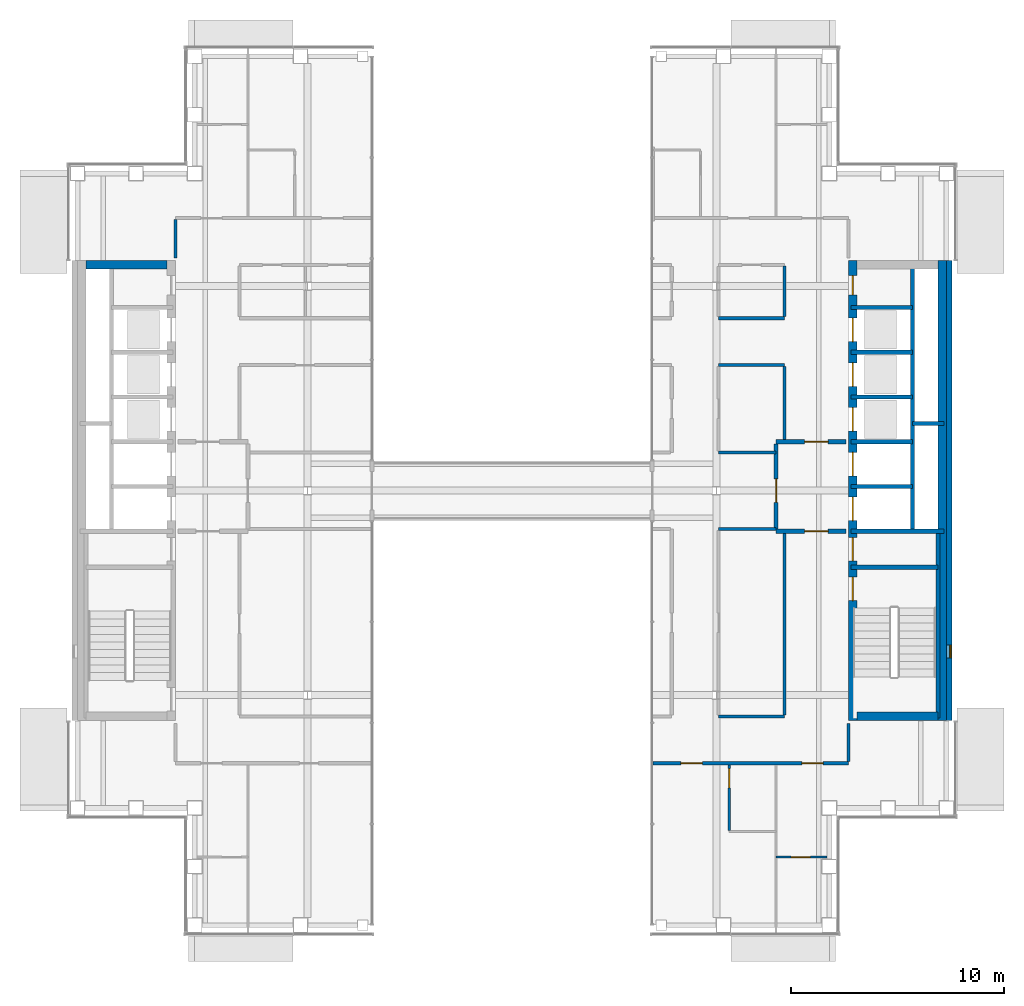
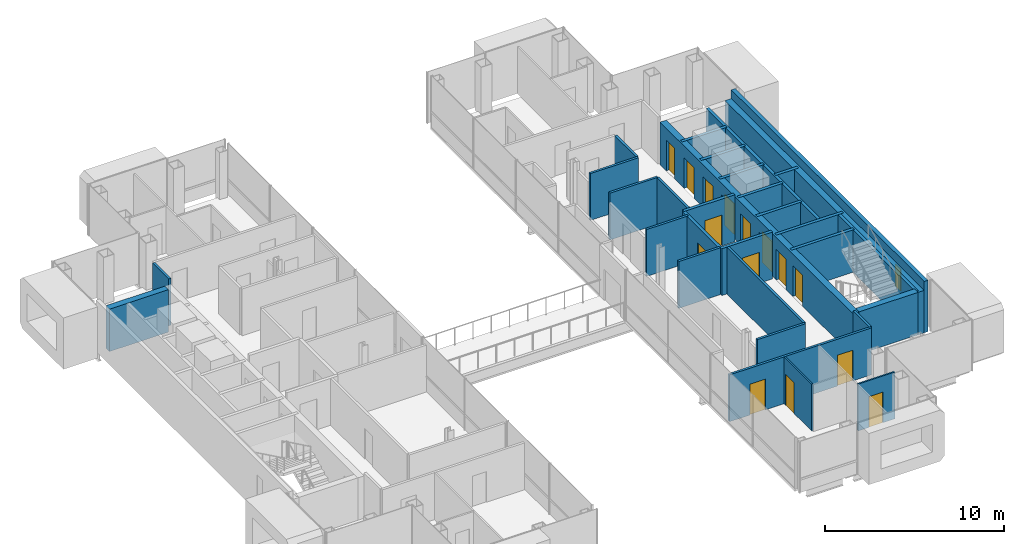
# One storey, part 12 of 17: 31 walls, 15 doors, 1 window, 16 openings.
"""IFC4 building model written with IfcOpenShell, lengths in metres."""

from ifc_helpers import new_model, si_unit, direction, frame, frame_2d, origin, place, context, subcontext, project, spatial, rectangle, extrude, material, layer, layer_set, type_object, element, fill, save


model = new_model("IFC4")

# Units and contexts
model_context = context("Model", 3, precision=1e-05, world=origin(), true_north=direction((0.0, 1.0)))
body_context = subcontext(model_context, "Body", "Model", "MODEL_VIEW")
ifc_project = project(units=[si_unit("LENGTHUNIT", "METRE"), si_unit("AREAUNIT", "SQUARE_METRE"), si_unit("VOLUMEUNIT", "CUBIC_METRE"), si_unit("PLANEANGLEUNIT", "RADIAN"), si_unit("MASSUNIT", "GRAM", prefix="KILO")], contexts=[model_context])

# Site, building, storey
site_placement = place(None, origin())
site = spatial("IfcSite", under=ifc_project, at=site_placement, CompositionType="ELEMENT")
building_placement = place(site_placement, origin())
building = spatial("IfcBuilding", under=site, at=building_placement, Name="Cobrizo Arcos Hotel Tower", CompositionType="ELEMENT")
storey_placement = place(building_placement, frame((0.0, 0.0, 233.0)))
storey = spatial("IfcBuildingStorey", under=building, at=storey_placement, Name="L61", CompositionType="ELEMENT", Elevation=233.0)

# Wall, openings, doors
ifc_material_1 = material(Name="Gypsum board partition")
ifc_layer_1 = layer(ifc_material_1, 0.14990234375)
ifc_layer_set_1 = layer_set([ifc_layer_1], Name="Corridor wall EI 60 150")
wall_type_1 = type_object("IfcWallType", Name="Corridor wall EI 60 150", PredefinedType="PARTITIONING", material=ifc_layer_set_1)
wall_1_placement = place(storey_placement, frame((6.6201171875, -12.800048828125, 0.0), z_axis=(0.0, 0.0, 1.0), x_axis=(1.0, 0.0, 0.0)))
wall_1 = element("IfcWall", 1, at=wall_1_placement, inside=storey, type_object=wall_type_1, Name="Partition 005", PredefinedType="PARTITIONING", context=body_context, shape_type="SweptSolid", body=[
    extrude(rectangle(XDim=9.179931640625, YDim=0.14990234375, at=frame_2d((4.58984375, 0.0))), origin(), (0.0, 0.0, 1.0), 3.199951171875),
])
opening_1_placement = place(wall_1_placement, frame((1.31396484375, 0.0, 0.0)))
opening_1 = element("IfcOpeningElement", 2, at=opening_1_placement, cuts=wall_1, Name="Opening GD-03", PredefinedType="OPENING", context=body_context, shape_type="SweptSolid", body=[
    extrude(rectangle(XDim=1.0, YDim=2.10009765625, at=frame_2d((0.5, 1.050048828125))), frame((0.0, 0.0869140625, 0.0), z_axis=(0.0, -1.0, 0.0), x_axis=(1.0, 0.0, 0.0)), (0.0, 0.0, 1.0), 0.173828125),
])
opening_2_placement = place(wall_1_placement, frame((6.988037109375, 0.0, 0.0)))
opening_2 = element("IfcOpeningElement", 3, at=opening_2_placement, cuts=wall_1, Name="Opening GD-06", PredefinedType="OPENING", context=body_context, shape_type="SweptSolid", body=[
    extrude(rectangle(XDim=1.0, YDim=2.10009765625, at=frame_2d((0.5, 1.050048828125))), frame((0.0, 0.0869140625, 0.0), z_axis=(0.0, -1.0, 0.0), x_axis=(1.0, 0.0, 0.0)), (0.0, 0.0, 1.0), 0.173828125),
])
ifc_material_2 = material(Name="Timber door leaf", Category="wood")
door_type_1 = type_object("IfcDoorType", Name="Guest room door FD30S 1000x2100", OperationType="SINGLE_SWING_LEFT", PredefinedType="DOOR", material=ifc_material_2)
door_1_placement = place(opening_1_placement, origin())
door_1 = element("IfcDoor", 4, at=door_1_placement, inside=storey, type_object=door_type_1, Name="Door GD-03", OperationType="SINGLE_SWING_RIGHT", OverallHeight=2.10009765625, OverallWidth=1.0, PredefinedType="DOOR", context=body_context, shape_type="SweptSolid", body=[
    extrude(rectangle(XDim=1.0, YDim=2.10009765625, at=frame_2d((0.5, 1.050048828125))), frame((0.0, 0.02490234375, 0.0), z_axis=(0.0, -1.0, 0.0), x_axis=(1.0, 0.0, 0.0)), (0.0, 0.0, 1.0), 0.050048828125),
])
fill(opening_1, door_1)
door_2_placement = place(opening_2_placement, origin())
door_2 = element("IfcDoor", 5, at=door_2_placement, inside=storey, type_object=door_type_1, Name="Door GD-06", OperationType="SINGLE_SWING_RIGHT", OverallHeight=2.10009765625, OverallWidth=1.0, PredefinedType="DOOR", context=body_context, shape_type="SweptSolid", body=[
    extrude(rectangle(XDim=1.0, YDim=2.10009765625, at=frame_2d((0.5, 1.050048828125))), frame((0.0, 0.02490234375, 0.0), z_axis=(0.0, -1.0, 0.0), x_axis=(1.0, 0.0, 0.0)), (0.0, 0.0, 1.0), 0.050048828125),
])
fill(opening_2, door_2)

# Walls
wall_2_placement = place(storey_placement, frame((9.699951171875, -10.60009765625, 0.0), z_axis=(0.0, 0.0, 1.0), x_axis=(1.0, 0.0, 0.0)))
element("IfcWall", 6, at=wall_2_placement, inside=storey, type_object=wall_type_1, Name="Partition 008", PredefinedType="PARTITIONING", context=body_context, shape_type="SweptSolid", body=[
    extrude(rectangle(XDim=3.10009765625, YDim=0.14990234375, at=frame_2d((1.550048828125, 0.0))), origin(), (0.0, 0.0, 1.0), 3.199951171875),
])
for number, where, z_axis, x_axis, name in (
    (7, (9.699951171875, -1.800048828125, 0.0), (0.0, 0.0, 1.0), (1.0, 0.0, 0.0), "Partition 017"),
    (8, (9.699951171875, 1.800048828125, 0.0), (0.0, 0.0, 1.0), (1.0, 0.0, 0.0), "Partition 022"),
):
    element("IfcWall", number, at=place(storey_placement, frame(where, z_axis=z_axis, x_axis=x_axis)), inside=storey, type_object=wall_type_1, Name=name, PredefinedType="PARTITIONING", context=body_context, shape_type="SweptSolid", body=[
        extrude(rectangle(XDim=2.699951171875, YDim=0.14990234375, at=frame_2d((1.35009765625, 0.0))), origin(), (0.0, 0.0, 1.0), 3.199951171875),
    ])
for number, where, z_axis, x_axis, name in (
    (9, (9.699951171875, 5.89990234375, 0.0), (0.0, 0.0, 1.0), (1.0, 0.0, 0.0), "Partition 033"),
    (10, (9.699951171875, 8.10009765625, 0.0), (0.0, 0.0, 1.0), (1.0, 0.0, 0.0), "Partition 038"),
):
    element("IfcWall", number, at=place(storey_placement, frame(where, z_axis=z_axis, x_axis=x_axis)), inside=storey, type_object=wall_type_1, Name=name, PredefinedType="PARTITIONING", context=body_context, shape_type="SweptSolid", body=[
        extrude(rectangle(XDim=3.10009765625, YDim=0.14990234375, at=frame_2d((1.550048828125, 0.0))), origin(), (0.0, 0.0, 1.0), 3.199951171875),
    ])
wall_3_placement = place(storey_placement, frame((-15.800048828125, 10.919921875, 0.0), z_axis=(0.0, 0.0, 1.0), x_axis=(0.0, 1.0, 0.0)))
element("IfcWall", 11, at=wall_3_placement, inside=storey, type_object=wall_type_1, Name="Partition 053", PredefinedType="PARTITIONING", context=body_context, shape_type="SweptSolid", body=[
    extrude(rectangle(XDim=1.80517578125, YDim=0.14990234375, at=frame_2d((0.902587890625, 0.0))), origin(), (0.0, 0.0, 1.0), 3.199951171875),
])
wall_4_placement = place(storey_placement, frame((12.800048828125, -10.52490234375, 0.0), z_axis=(0.0, 0.0, 1.0), x_axis=(0.0, 1.0, 0.0)))
element("IfcWall", 12, at=wall_4_placement, inside=storey, type_object=wall_type_1, Name="Partition 081", PredefinedType="PARTITIONING", context=body_context, shape_type="SweptSolid", body=[
    extrude(rectangle(XDim=8.52490234375, YDim=0.14990234375, at=frame_2d((4.262451171875, 0.0))), origin(), (0.0, 0.0, 1.0), 3.199951171875),
])
wall_5_placement = place(storey_placement, frame((12.800048828125, 2.39990234375, 0.0), z_axis=(0.0, 0.0, 1.0), x_axis=(0.0, 1.0, 0.0)))
element("IfcWall", 13, at=wall_5_placement, inside=storey, type_object=wall_type_1, Name="Partition 082", PredefinedType="PARTITIONING", context=body_context, shape_type="SweptSolid", body=[
    extrude(rectangle(XDim=3.425048828125, YDim=0.14990234375, at=frame_2d((1.71240234375, 0.0))), origin(), (0.0, 0.0, 1.0), 3.199951171875),
])
wall_6_placement = place(storey_placement, frame((12.800048828125, 8.175048828125, 0.0), z_axis=(0.0, 0.0, 1.0), x_axis=(0.0, 1.0, 0.0)))
element("IfcWall", 14, at=wall_6_placement, inside=storey, type_object=wall_type_1, Name="Partition 083", PredefinedType="PARTITIONING", context=body_context, shape_type="SweptSolid", body=[
    extrude(rectangle(XDim=2.375, YDim=0.14990234375, at=frame_2d((1.1875, 0.0))), origin(), (0.0, 0.0, 1.0), 3.199951171875),
])
wall_7_placement = place(storey_placement, frame((15.800048828125, -12.72509765625, 0.0), z_axis=(0.0, 0.0, 1.0), x_axis=(0.0, 1.0, 0.0)))
element("IfcWall", 15, at=wall_7_placement, inside=storey, type_object=wall_type_1, Name="Partition 084", PredefinedType="PARTITIONING", context=body_context, shape_type="SweptSolid", body=[
    extrude(rectangle(XDim=1.80517578125, YDim=0.14990234375, at=frame_2d((0.902587890625, 0.0))), origin(), (0.0, 0.0, 1.0), 3.199951171875),
])

# Wall, opening, window
ifc_material_3 = material(Name="Aluminium composite panel pale metal", Category="aluminium")
ifc_layer_2 = layer(ifc_material_3, 0.25)
ifc_layer_set_2 = layer_set([ifc_layer_2], Name="EW-1 insulated panel wall 250")
wall_type_2 = type_object("IfcWallType", Name="EW-1 insulated panel wall 250", PredefinedType="SOLIDWALL", material=ifc_layer_set_2)
wall_8_placement = place(storey_placement, frame((20.52490234375, -10.800048828125, 0.0), z_axis=(0.0, 0.0, 1.0), x_axis=(0.0, 1.0, 0.0)))
wall_8 = element("IfcWall", 16, at=wall_8_placement, inside=storey, type_object=wall_type_2, Name="Core face wall L61 E", PredefinedType="SOLIDWALL", context=body_context, shape_type="SweptSolid", body=[
    extrude(rectangle(XDim=21.60009765625, YDim=0.25, at=frame_2d((10.800048828125, 0.0))), origin(), (0.0, 0.0, 1.0), 3.5),
])
opening_3_placement = place(wall_8_placement, frame((2.949951171875, 0.0, 1.0)))
opening_3 = element("IfcOpeningElement", 17, at=opening_3_placement, cuts=wall_8, Name="Opening W-135", PredefinedType="OPENING", context=body_context, shape_type="SweptSolid", body=[
    extrude(rectangle(XDim=0.60009765625, YDim=1.5, at=frame_2d((0.300048828125, 0.75))), frame((0.0, 0.136962890625, 0.0), z_axis=(0.0, -1.0, 0.0), x_axis=(1.0, 0.0, 0.0)), (0.0, 0.0, 1.0), 0.27392578125),
])
ifc_material_4 = material(Name="Aluminium 6063-T6 and clear laminated glass", Category="aluminium")
window_type = type_object("IfcWindowType", Name="W-C1 core stair slot window 600x1500", PartitioningType="SINGLE_PANEL", PredefinedType="WINDOW", material=ifc_material_4)
window_placement = place(opening_3_placement, origin())
window = element("IfcWindow", 18, at=window_placement, inside=storey, type_object=window_type, Name="Core face wall L61 E window W-135", OverallHeight=1.5, OverallWidth=0.60009765625, PartitioningType="SINGLE_PANEL", PredefinedType="WINDOW", context=body_context, shape_type="SweptSolid", body=[
    extrude(rectangle(XDim=0.60009765625, YDim=1.5, at=frame_2d((0.300048828125, 0.75))), frame((0.0, -0.034912109375, 0.0), z_axis=(0.0, -1.0, 0.0), x_axis=(1.0, 0.0, 0.0)), (0.0, 0.0, 1.0), 0.06005859375),
])
fill(opening_3, window)

# Wall, opening, door
ifc_layer_3 = layer(ifc_material_1, 0.10009765625)
ifc_layer_set_3 = layer_set([ifc_layer_3], Name="Partition EI 30 100")
wall_type_3 = type_object("IfcWallType", Name="Partition EI 30 100", PredefinedType="PARTITIONING", material=ifc_layer_set_3)
wall_9_placement = place(storey_placement, frame((12.39990234375, -17.199951171875, 0.0), z_axis=(0.0, 0.0, 1.0), x_axis=(1.0, 0.0, 0.0)))
wall_9 = element("IfcWall", 19, at=wall_9_placement, inside=storey, type_object=wall_type_3, Name="Partition 002", PredefinedType="PARTITIONING", context=body_context, shape_type="SweptSolid", body=[
    extrude(rectangle(XDim=2.380126953125, YDim=0.10009765625, at=frame_2d((1.18994140625, 0.0))), origin(), (0.0, 0.0, 1.0), 3.199951171875),
])
opening_4_placement = place(wall_9_placement, frame((0.705078125, 0.0, 0.0)))
opening_4 = element("IfcOpeningElement", 20, at=opening_4_placement, cuts=wall_9, Name="Opening ED-06", PredefinedType="OPENING", context=body_context, shape_type="SweptSolid", body=[
    extrude(rectangle(XDim=0.89990234375, YDim=2.10009765625, at=frame_2d((0.449951171875, 1.050048828125))), frame((0.0, 0.06201171875, 0.0), z_axis=(0.0, -1.0, 0.0), x_axis=(1.0, 0.0, 0.0)), (0.0, 0.0, 1.0), 0.1240234375),
])
door_type_2 = type_object("IfcDoorType", Name="En-suite door 900x2100", OperationType="SINGLE_SWING_LEFT", PredefinedType="DOOR", material=ifc_material_2)
door_3_placement = place(opening_4_placement, origin())
door_3 = element("IfcDoor", 21, at=door_3_placement, inside=storey, type_object=door_type_2, Name="Door ED-06", OperationType="SINGLE_SWING_LEFT", OverallHeight=2.10009765625, OverallWidth=0.89990234375, PredefinedType="DOOR", context=body_context, shape_type="SweptSolid", body=[
    extrude(rectangle(XDim=0.89990234375, YDim=2.10009765625, at=frame_2d((0.449951171875, 1.050048828125))), frame((0.0, 0.02490234375, 0.0), z_axis=(0.0, -1.0, 0.0), x_axis=(1.0, 0.0, 0.0)), (0.0, 0.0, 1.0), 0.050048828125),
])
fill(opening_4, door_3)

wall_10_placement = place(storey_placement, frame((10.199951171875, -15.949951171875, 0.0), z_axis=(0.0, 0.0, 1.0), x_axis=(0.0, 1.0, 0.0)))
wall_10 = element("IfcWall", 22, at=wall_10_placement, inside=storey, type_object=wall_type_3, Name="Partition 077", PredefinedType="PARTITIONING", context=body_context, shape_type="SweptSolid", body=[
    extrude(rectangle(XDim=3.074951171875, YDim=0.10009765625, at=frame_2d((1.53759765625, 0.0))), origin(), (0.0, 0.0, 1.0), 3.199951171875),
])
opening_5_placement = place(wall_10_placement, frame((1.99609375, 0.0, 0.0)))
opening_5 = element("IfcOpeningElement", 23, at=opening_5_placement, cuts=wall_10, Name="Opening ED-03", PredefinedType="OPENING", context=body_context, shape_type="SweptSolid", body=[
    extrude(rectangle(XDim=0.89990234375, YDim=2.10009765625, at=frame_2d((0.449951171875, 1.050048828125))), frame((0.0, 0.06201171875, 0.0), z_axis=(0.0, -1.0, 0.0), x_axis=(1.0, 0.0, 0.0)), (0.0, 0.0, 1.0), 0.1240234375),
])
door_4_placement = place(opening_5_placement, origin())
door_4 = element("IfcDoor", 24, at=door_4_placement, inside=storey, type_object=door_type_2, Name="Door ED-03", OperationType="SINGLE_SWING_RIGHT", OverallHeight=2.10009765625, OverallWidth=0.89990234375, PredefinedType="DOOR", context=body_context, shape_type="SweptSolid", body=[
    extrude(rectangle(XDim=0.89990234375, YDim=2.10009765625, at=frame_2d((0.449951171875, 1.050048828125))), frame((0.0, 0.02490234375, 0.0), z_axis=(0.0, -1.0, 0.0), x_axis=(1.0, 0.0, 0.0)), (0.0, 0.0, 1.0), 0.050048828125),
])
fill(opening_5, door_4)

# Wall, openings, doors
ifc_material_5 = material(Name="Concrete f'c 40 MPa", Category="concrete")
ifc_layer_4 = layer(ifc_material_5, 0.39990234375)
ifc_layer_set_4 = layer_set([ifc_layer_4], Name="RC core wall 400 f'c 40")
wall_type_4 = type_object("IfcWallType", Name="RC core wall 400 f'c 40", PredefinedType="SHEAR", material=ifc_layer_set_4)
wall_11_placement = place(storey_placement, frame((16.0, -10.800048828125, 0.0), z_axis=(0.0, 0.0, 1.0), x_axis=(0.0, 1.0, 0.0)))
wall_11 = element("IfcWall", 25, at=wall_11_placement, inside=storey, type_object=wall_type_4, Name="Core wall CW4, east core, inner face, L61", PredefinedType="SHEAR", context=body_context, shape_type="SweptSolid", body=[
    extrude(rectangle(XDim=21.60009765625, YDim=0.39990234375, at=frame_2d((10.800048828125, 0.0))), origin(), (0.0, 0.0, 1.0), 2.89990234375),
])
opening_6_placement = place(wall_11_placement, frame((9.39990234375, 0.0, 0.0)))
opening_6 = element("IfcOpeningElement", 26, at=opening_6_placement, cuts=wall_11, Name="Opening LD-06", PredefinedType="OPENING", context=body_context, shape_type="SweptSolid", body=[
    extrude(rectangle(XDim=1.10009765625, YDim=2.10009765625, at=frame_2d((0.550048828125, 1.050048828125))), frame((0.0, 0.2119140625, 0.0), z_axis=(0.0, -1.0, 0.0), x_axis=(1.0, 0.0, 0.0)), (0.0, 0.0, 1.0), 0.423828125),
])
opening_7_placement = place(wall_11_placement, frame((11.5, 0.0, 0.0)))
opening_7 = element("IfcOpeningElement", 27, at=opening_7_placement, cuts=wall_11, Name="Opening LD-07", PredefinedType="OPENING", context=body_context, shape_type="SweptSolid", body=[
    extrude(rectangle(XDim=1.10009765625, YDim=2.10009765625, at=frame_2d((0.550048828125, 1.050048828125))), frame((0.0, 0.2119140625, 0.0), z_axis=(0.0, -1.0, 0.0), x_axis=(1.0, 0.0, 0.0)), (0.0, 0.0, 1.0), 0.423828125),
])
opening_8_placement = place(wall_11_placement, frame((13.60009765625, 0.0, 0.0)))
opening_8 = element("IfcOpeningElement", 28, at=opening_8_placement, cuts=wall_11, Name="Opening LD-08", PredefinedType="OPENING", context=body_context, shape_type="SweptSolid", body=[
    extrude(rectangle(XDim=1.10009765625, YDim=2.10009765625, at=frame_2d((0.550048828125, 1.050048828125))), frame((0.0, 0.2119140625, 0.0), z_axis=(0.0, -1.0, 0.0), x_axis=(1.0, 0.0, 0.0)), (0.0, 0.0, 1.0), 0.423828125),
])
opening_9_placement = place(wall_11_placement, frame((15.699951171875, 0.0, 0.0)))
opening_9 = element("IfcOpeningElement", 29, at=opening_9_placement, cuts=wall_11, Name="Opening LD-09", PredefinedType="OPENING", context=body_context, shape_type="SweptSolid", body=[
    extrude(rectangle(XDim=1.10009765625, YDim=2.10009765625, at=frame_2d((0.550048828125, 1.050048828125))), frame((0.0, 0.2119140625, 0.0), z_axis=(0.0, -1.0, 0.0), x_axis=(1.0, 0.0, 0.0)), (0.0, 0.0, 1.0), 0.423828125),
])
opening_10_placement = place(wall_11_placement, frame((17.800048828125, 0.0, 0.0)))
opening_10 = element("IfcOpeningElement", 30, at=opening_10_placement, cuts=wall_11, Name="Opening LD-10", PredefinedType="OPENING", context=body_context, shape_type="SweptSolid", body=[
    extrude(rectangle(XDim=1.10009765625, YDim=2.10009765625, at=frame_2d((0.550048828125, 1.050048828125))), frame((0.0, 0.2119140625, 0.0), z_axis=(0.0, -1.0, 0.0), x_axis=(1.0, 0.0, 0.0)), (0.0, 0.0, 1.0), 0.423828125),
])
opening_11_placement = place(wall_11_placement, frame((5.64208984375, 0.0, 0.0)))
opening_11 = element("IfcOpeningElement", 31, at=opening_11_placement, cuts=wall_11, Name="Opening SD-02", PredefinedType="OPENING", context=body_context, shape_type="SweptSolid", body=[
    extrude(rectangle(XDim=1.10009765625, YDim=2.10009765625, at=frame_2d((0.550048828125, 1.050048828125))), frame((0.0, 0.2119140625, 0.0), z_axis=(0.0, -1.0, 0.0), x_axis=(1.0, 0.0, 0.0)), (0.0, 0.0, 1.0), 0.423828125),
])
opening_12_placement = place(wall_11_placement, frame((7.5, 0.0, 0.0)))
opening_12 = element("IfcOpeningElement", 32, at=opening_12_placement, cuts=wall_11, Name="Opening FD-05", PredefinedType="OPENING", context=body_context, shape_type="SweptSolid", body=[
    extrude(rectangle(XDim=1.10009765625, YDim=2.10009765625, at=frame_2d((0.550048828125, 1.050048828125))), frame((0.0, 0.2119140625, 0.0), z_axis=(0.0, -1.0, 0.0), x_axis=(1.0, 0.0, 0.0)), (0.0, 0.0, 1.0), 0.423828125),
])
opening_13_placement = place(wall_11_placement, frame((20.0, 0.0, 0.0)))
opening_13 = element("IfcOpeningElement", 33, at=opening_13_placement, cuts=wall_11, Name="Opening RD-02", PredefinedType="OPENING", context=body_context, shape_type="SweptSolid", body=[
    extrude(rectangle(XDim=0.89990234375, YDim=2.10009765625, at=frame_2d((0.449951171875, 1.050048828125))), frame((0.0, 0.2119140625, 0.0), z_axis=(0.0, -1.0, 0.0), x_axis=(1.0, 0.0, 0.0)), (0.0, 0.0, 1.0), 0.423828125),
])
ifc_material_6 = material(Name="Steel door leaf", Category="steel")
door_type_3 = type_object("IfcDoorType", Name="Fire door FD60 1100x2100", OperationType="SINGLE_SWING_LEFT", PredefinedType="DOOR", material=ifc_material_6)
door_5_placement = place(opening_12_placement, origin())
door_5 = element("IfcDoor", 34, at=door_5_placement, inside=storey, type_object=door_type_3, Name="Door FD-05", OperationType="SINGLE_SWING_LEFT", OverallHeight=2.10009765625, OverallWidth=1.10009765625, PredefinedType="DOOR", context=body_context, shape_type="SweptSolid", body=[
    extrude(rectangle(XDim=1.10009765625, YDim=2.10009765625, at=frame_2d((0.550048828125, 1.050048828125))), frame((0.0, 0.02490234375, 0.0), z_axis=(0.0, -1.0, 0.0), x_axis=(1.0, 0.0, 0.0)), (0.0, 0.0, 1.0), 0.050048828125),
])
fill(opening_12, door_5)
door_type_4 = type_object("IfcDoorType", Name="Lift landing door 1100x2100", OperationType="SLIDING_TO_LEFT", PredefinedType="DOOR", material=ifc_material_6)
door_6_placement = place(opening_6_placement, origin())
door_6 = element("IfcDoor", 35, at=door_6_placement, inside=storey, type_object=door_type_4, Name="Lift landing door LD-06", OperationType="SLIDING_TO_LEFT", OverallHeight=2.10009765625, OverallWidth=1.10009765625, PredefinedType="DOOR", context=body_context, shape_type="SweptSolid", body=[
    extrude(rectangle(XDim=1.10009765625, YDim=2.10009765625, at=frame_2d((0.550048828125, 1.050048828125))), frame((0.0, 0.02490234375, 0.0), z_axis=(0.0, -1.0, 0.0), x_axis=(1.0, 0.0, 0.0)), (0.0, 0.0, 1.0), 0.050048828125),
])
fill(opening_6, door_6)
door_7_placement = place(opening_7_placement, origin())
door_7 = element("IfcDoor", 36, at=door_7_placement, inside=storey, type_object=door_type_4, Name="Lift landing door LD-07", OperationType="SLIDING_TO_LEFT", OverallHeight=2.10009765625, OverallWidth=1.10009765625, PredefinedType="DOOR", context=body_context, shape_type="SweptSolid", body=[
    extrude(rectangle(XDim=1.10009765625, YDim=2.10009765625, at=frame_2d((0.550048828125, 1.050048828125))), frame((0.0, 0.02490234375, 0.0), z_axis=(0.0, -1.0, 0.0), x_axis=(1.0, 0.0, 0.0)), (0.0, 0.0, 1.0), 0.050048828125),
])
fill(opening_7, door_7)
door_8_placement = place(opening_8_placement, origin())
door_8 = element("IfcDoor", 37, at=door_8_placement, inside=storey, type_object=door_type_4, Name="Lift landing door LD-08", OperationType="SLIDING_TO_LEFT", OverallHeight=2.10009765625, OverallWidth=1.10009765625, PredefinedType="DOOR", context=body_context, shape_type="SweptSolid", body=[
    extrude(rectangle(XDim=1.10009765625, YDim=2.10009765625, at=frame_2d((0.550048828125, 1.050048828125))), frame((0.0, 0.02490234375, 0.0), z_axis=(0.0, -1.0, 0.0), x_axis=(1.0, 0.0, 0.0)), (0.0, 0.0, 1.0), 0.050048828125),
])
fill(opening_8, door_8)
door_9_placement = place(opening_9_placement, origin())
door_9 = element("IfcDoor", 38, at=door_9_placement, inside=storey, type_object=door_type_4, Name="Lift landing door LD-09", OperationType="SLIDING_TO_LEFT", OverallHeight=2.10009765625, OverallWidth=1.10009765625, PredefinedType="DOOR", context=body_context, shape_type="SweptSolid", body=[
    extrude(rectangle(XDim=1.10009765625, YDim=2.10009765625, at=frame_2d((0.550048828125, 1.050048828125))), frame((0.0, 0.02490234375, 0.0), z_axis=(0.0, -1.0, 0.0), x_axis=(1.0, 0.0, 0.0)), (0.0, 0.0, 1.0), 0.050048828125),
])
fill(opening_9, door_9)
door_10_placement = place(opening_10_placement, origin())
door_10 = element("IfcDoor", 39, at=door_10_placement, inside=storey, type_object=door_type_4, Name="Lift landing door LD-10", OperationType="SLIDING_TO_LEFT", OverallHeight=2.10009765625, OverallWidth=1.10009765625, PredefinedType="DOOR", context=body_context, shape_type="SweptSolid", body=[
    extrude(rectangle(XDim=1.10009765625, YDim=2.10009765625, at=frame_2d((0.550048828125, 1.050048828125))), frame((0.0, 0.02490234375, 0.0), z_axis=(0.0, -1.0, 0.0), x_axis=(1.0, 0.0, 0.0)), (0.0, 0.0, 1.0), 0.050048828125),
])
fill(opening_10, door_10)
door_type_5 = type_object("IfcDoorType", Name="Room door FD30 900x2100", OperationType="SINGLE_SWING_LEFT", PredefinedType="DOOR", material=ifc_material_2)
door_11_placement = place(opening_13_placement, origin())
door_11 = element("IfcDoor", 40, at=door_11_placement, inside=storey, type_object=door_type_5, Name="Door RD-02", OperationType="SINGLE_SWING_RIGHT", OverallHeight=2.10009765625, OverallWidth=0.89990234375, PredefinedType="DOOR", context=body_context, shape_type="SweptSolid", body=[
    extrude(rectangle(XDim=0.89990234375, YDim=2.10009765625, at=frame_2d((0.449951171875, 1.050048828125))), frame((0.0, 0.02490234375, 0.0), z_axis=(0.0, -1.0, 0.0), x_axis=(1.0, 0.0, 0.0)), (0.0, 0.0, 1.0), 0.050048828125),
])
fill(opening_13, door_11)
door_type_6 = type_object("IfcDoorType", Name="Stair door FD60S 1100x2100", OperationType="SINGLE_SWING_LEFT", PredefinedType="DOOR", material=ifc_material_6)
door_12_placement = place(opening_11_placement, origin())
door_12 = element("IfcDoor", 41, at=door_12_placement, inside=storey, type_object=door_type_6, Name="Door SD-02", OperationType="SINGLE_SWING_LEFT", OverallHeight=2.10009765625, OverallWidth=1.10009765625, PredefinedType="DOOR", context=body_context, shape_type="SweptSolid", body=[
    extrude(rectangle(XDim=1.10009765625, YDim=2.10009765625, at=frame_2d((0.550048828125, 1.050048828125))), frame((0.0, 0.02490234375, 0.0), z_axis=(0.0, -1.0, 0.0), x_axis=(1.0, 0.0, 0.0)), (0.0, 0.0, 1.0), 0.050048828125),
])
fill(opening_11, door_12)

# Walls
wall_12_placement = place(storey_placement, frame((20.199951171875, -10.800048828125, 0.0), z_axis=(0.0, 0.0, 1.0), x_axis=(0.0, 1.0, 0.0)))
element("IfcWall", 42, at=wall_12_placement, inside=storey, type_object=wall_type_4, Name="Core wall CW4, east core, outer face, L61", PredefinedType="SHEAR", context=body_context, shape_type="SweptSolid", body=[
    extrude(rectangle(XDim=21.60009765625, YDim=0.39990234375, at=frame_2d((10.800048828125, 0.0))), origin(), (0.0, 0.0, 1.0), 2.89990234375),
])
for number, where, z_axis, x_axis, name in (
    (43, (16.199951171875, -10.60009765625, 0.0), (0.0, 0.0, 1.0), (1.0, 0.0, 0.0), "Core wall CW4, east core, south end, L61"),
    (44, (-20.0, 10.60009765625, 0.0), (0.0, 0.0, 1.0), (1.0, 0.0, 0.0), "Core wall CW4, west core, north end, L61"),
):
    element("IfcWall", number, at=place(storey_placement, frame(where, z_axis=z_axis, x_axis=x_axis)), inside=storey, type_object=wall_type_4, Name=name, PredefinedType="SHEAR", context=body_context, shape_type="SweptSolid", body=[
        extrude(rectangle(XDim=3.800048828125, YDim=0.39990234375, at=frame_2d((1.89990234375, 0.0))), origin(), (0.0, 0.0, 1.0), 2.89990234375),
    ])

# Wall, opening, door
ifc_layer_5 = layer(ifc_material_1, 0.199951171875)
ifc_layer_set_5 = layer_set([ifc_layer_5], Name="Shaft wall EI 120 200")
wall_type_5 = type_object("IfcWallType", Name="Shaft wall EI 120 200", PredefinedType="PARTITIONING", material=ifc_layer_set_5)
wall_13_placement = place(storey_placement, frame((12.39990234375, -1.89990234375, 0.0), z_axis=(0.0, 0.0, 1.0), x_axis=(1.0, 0.0, 0.0)))
wall_13 = element("IfcWall", 45, at=wall_13_placement, inside=storey, type_object=wall_type_5, Name="Partition 013", PredefinedType="PARTITIONING", context=body_context, shape_type="SweptSolid", body=[
    extrude(rectangle(XDim=3.280029296875, YDim=0.199951171875, at=frame_2d((1.64013671875, 0.0))), origin(), (0.0, 0.0, 1.0), 3.199951171875),
])
opening_14_placement = place(wall_13_placement, frame((1.340087890625, 0.0, 0.0)))
opening_14 = element("IfcOpeningElement", 46, at=opening_14_placement, cuts=wall_13, Name="Opening FD-07", PredefinedType="OPENING", context=body_context, shape_type="SweptSolid", body=[
    extrude(rectangle(XDim=1.10009765625, YDim=2.10009765625, at=frame_2d((0.550048828125, 1.050048828125))), frame((0.0, 0.112060546875, 0.0), z_axis=(0.0, -1.0, 0.0), x_axis=(1.0, 0.0, 0.0)), (0.0, 0.0, 1.0), 0.223876953125),
])
door_13_placement = place(opening_14_placement, origin())
door_13 = element("IfcDoor", 47, at=door_13_placement, inside=storey, type_object=door_type_3, Name="Door FD-07", OperationType="SINGLE_SWING_RIGHT", OverallHeight=2.10009765625, OverallWidth=1.10009765625, PredefinedType="DOOR", context=body_context, shape_type="SweptSolid", body=[
    extrude(rectangle(XDim=1.10009765625, YDim=2.10009765625, at=frame_2d((0.550048828125, 1.050048828125))), frame((0.0, 0.02490234375, 0.0), z_axis=(0.0, -1.0, 0.0), x_axis=(1.0, 0.0, 0.0)), (0.0, 0.0, 1.0), 0.050048828125),
])
fill(opening_14, door_13)

# Walls
wall_14_placement = place(storey_placement, frame((15.919921875, -1.89990234375, 0.0), z_axis=(0.0, 0.0, 1.0), x_axis=(1.0, 0.0, 0.0)))
element("IfcWall", 48, at=wall_14_placement, inside=storey, type_object=wall_type_5, Name="Partition 014", PredefinedType="PARTITIONING", context=body_context, shape_type="SweptSolid", body=[
    extrude(rectangle(XDim=4.360107421875, YDim=0.199951171875, at=frame_2d((2.18017578125, 0.0))), origin(), (0.0, 0.0, 1.0), 2.89990234375),
])
wall_15_placement = place(storey_placement, frame((15.919921875, 0.199951171875, 0.0), z_axis=(0.0, 0.0, 1.0), x_axis=(1.0, 0.0, 0.0)))
element("IfcWall", 49, at=wall_15_placement, inside=storey, type_object=wall_type_5, Name="Partition 019", PredefinedType="PARTITIONING", context=body_context, shape_type="SweptSolid", body=[
    extrude(rectangle(XDim=2.880126953125, YDim=0.199951171875, at=frame_2d((1.43994140625, 0.0))), origin(), (0.0, 0.0, 1.0), 2.89990234375),
])

# Wall, opening, door
wall_16_placement = place(storey_placement, frame((12.39990234375, 2.300048828125, 0.0), z_axis=(0.0, 0.0, 1.0), x_axis=(1.0, 0.0, 0.0)))
wall_16 = element("IfcWall", 50, at=wall_16_placement, inside=storey, type_object=wall_type_5, Name="Partition 025", PredefinedType="PARTITIONING", context=body_context, shape_type="SweptSolid", body=[
    extrude(rectangle(XDim=3.280029296875, YDim=0.199951171875, at=frame_2d((1.64013671875, 0.0))), origin(), (0.0, 0.0, 1.0), 3.199951171875),
])
opening_15_placement = place(wall_16_placement, frame((1.340087890625, 0.0, 0.0)))
opening_15 = element("IfcOpeningElement", 51, at=opening_15_placement, cuts=wall_16, Name="Opening FD-08", PredefinedType="OPENING", context=body_context, shape_type="SweptSolid", body=[
    extrude(rectangle(XDim=1.10009765625, YDim=2.10009765625, at=frame_2d((0.550048828125, 1.050048828125))), frame((0.0, 0.112060546875, 0.0), z_axis=(0.0, -1.0, 0.0), x_axis=(1.0, 0.0, 0.0)), (0.0, 0.0, 1.0), 0.223876953125),
])
door_14_placement = place(opening_15_placement, origin())
door_14 = element("IfcDoor", 52, at=door_14_placement, inside=storey, type_object=door_type_3, Name="Door FD-08", OperationType="SINGLE_SWING_RIGHT", OverallHeight=2.10009765625, OverallWidth=1.10009765625, PredefinedType="DOOR", context=body_context, shape_type="SweptSolid", body=[
    extrude(rectangle(XDim=1.10009765625, YDim=2.10009765625, at=frame_2d((0.550048828125, 1.050048828125))), frame((0.0, 0.02490234375, 0.0), z_axis=(0.0, -1.0, 0.0), x_axis=(1.0, 0.0, 0.0)), (0.0, 0.0, 1.0), 0.050048828125),
])
fill(opening_15, door_14)

# Walls
wall_17_placement = place(storey_placement, frame((15.919921875, 2.300048828125, 0.0), z_axis=(0.0, 0.0, 1.0), x_axis=(1.0, 0.0, 0.0)))
element("IfcWall", 53, at=wall_17_placement, inside=storey, type_object=wall_type_5, Name="Partition 026", PredefinedType="PARTITIONING", context=body_context, shape_type="SweptSolid", body=[
    extrude(rectangle(XDim=2.880126953125, YDim=0.199951171875, at=frame_2d((1.43994140625, 0.0))), origin(), (0.0, 0.0, 1.0), 2.89990234375),
])
wall_18_placement = place(storey_placement, frame((18.800048828125, 3.14990234375, 0.0), z_axis=(0.0, 0.0, 1.0), x_axis=(1.0, 0.0, 0.0)))
element("IfcWall", 54, at=wall_18_placement, inside=storey, type_object=wall_type_5, Name="Partition 028", PredefinedType="PARTITIONING", context=body_context, shape_type="SweptSolid", body=[
    extrude(rectangle(XDim=1.47998046875, YDim=0.199951171875, at=frame_2d((0.739990234375, 0.0))), origin(), (0.0, 0.0, 1.0), 2.89990234375),
])
for number, where, z_axis, x_axis, name in (
    (55, (15.919921875, 4.39990234375, 0.0), (0.0, 0.0, 1.0), (1.0, 0.0, 0.0), "Partition 030"),
    (56, (15.919921875, 6.5, 0.0), (0.0, 0.0, 1.0), (1.0, 0.0, 0.0), "Partition 035"),
    (57, (15.919921875, 8.60009765625, 0.0), (0.0, 0.0, 1.0), (1.0, 0.0, 0.0), "Partition 040"),
):
    element("IfcWall", number, at=place(storey_placement, frame(where, z_axis=z_axis, x_axis=x_axis)), inside=storey, type_object=wall_type_5, Name=name, PredefinedType="PARTITIONING", context=body_context, shape_type="SweptSolid", body=[
        extrude(rectangle(XDim=2.880126953125, YDim=0.199951171875, at=frame_2d((1.43994140625, 0.0))), origin(), (0.0, 0.0, 1.0), 2.89990234375),
    ])

# Wall, opening, door
wall_19_placement = place(storey_placement, frame((12.39990234375, -1.800048828125, 0.0), z_axis=(0.0, 0.0, 1.0), x_axis=(0.0, 1.0, 0.0)))
wall_19 = element("IfcWall", 58, at=wall_19_placement, inside=storey, type_object=wall_type_5, Name="Partition 079", PredefinedType="PARTITIONING", context=body_context, shape_type="SweptSolid", body=[
    extrude(rectangle(XDim=4.0, YDim=0.199951171875, at=frame_2d((2.0, 0.0))), origin(), (0.0, 0.0, 1.0), 3.199951171875),
])
opening_16_placement = place(wall_19_placement, frame((1.25, 0.0, 0.0)))
opening_16 = element("IfcOpeningElement", 59, at=opening_16_placement, cuts=wall_19, Name="Opening FD-06", PredefinedType="OPENING", context=body_context, shape_type="SweptSolid", body=[
    extrude(rectangle(XDim=1.10009765625, YDim=2.10009765625, at=frame_2d((0.550048828125, 1.050048828125))), frame((0.0, 0.112060546875, 0.0), z_axis=(0.0, -1.0, 0.0), x_axis=(1.0, 0.0, 0.0)), (0.0, 0.0, 1.0), 0.223876953125),
])
door_15_placement = place(opening_16_placement, origin())
door_15 = element("IfcDoor", 60, at=door_15_placement, inside=storey, type_object=door_type_3, Name="Door FD-06", OperationType="SINGLE_SWING_RIGHT", OverallHeight=2.10009765625, OverallWidth=1.10009765625, PredefinedType="DOOR", context=body_context, shape_type="SweptSolid", body=[
    extrude(rectangle(XDim=1.10009765625, YDim=2.10009765625, at=frame_2d((0.550048828125, 1.050048828125))), frame((0.0, 0.02490234375, 0.0), z_axis=(0.0, -1.0, 0.0), x_axis=(1.0, 0.0, 0.0)), (0.0, 0.0, 1.0), 0.050048828125),
])
fill(opening_16, door_15)

# Walls
wall_20_placement = place(storey_placement, frame((18.800048828125, -1.800048828125, 0.0), z_axis=(0.0, 0.0, 1.0), x_axis=(0.0, 1.0, 0.0)))
element("IfcWall", 61, at=wall_20_placement, inside=storey, type_object=wall_type_5, Name="Partition 086", PredefinedType="PARTITIONING", context=body_context, shape_type="SweptSolid", body=[
    extrude(rectangle(XDim=12.47998046875, YDim=0.199951171875, at=frame_2d((6.239990234375, 0.0))), origin(), (0.0, 0.0, 1.0), 2.89990234375),
])
ifc_layer_6 = layer(ifc_material_5, 0.199951171875)
ifc_layer_set_6 = layer_set([ifc_layer_6], Name="Stair shaft wall 200")
wall_type_6 = type_object("IfcWallType", Name="Stair shaft wall 200", PredefinedType="SHEAR", material=ifc_layer_set_6)
wall_21_placement = place(storey_placement, frame((15.919921875, -3.60009765625, 0.0), z_axis=(0.0, 0.0, 1.0), x_axis=(1.0, 0.0, 0.0)))
element("IfcWall", 62, at=wall_21_placement, inside=storey, type_object=wall_type_6, Name="Stair shaft wall E", PredefinedType="SHEAR", context=body_context, shape_type="SweptSolid", body=[
    extrude(rectangle(XDim=4.080078125, YDim=0.199951171875, at=frame_2d((2.0400390625, 0.0))), origin(), (0.0, 0.0, 1.0), 2.89990234375),
])
wall_22_placement = place(storey_placement, frame((20.0, -10.679931640625, 0.0), z_axis=(0.0, 0.0, 1.0), x_axis=(0.0, 1.0, 0.0)))
element("IfcWall", 63, at=wall_22_placement, inside=storey, type_object=wall_type_6, Name="Stair shaft wall E", PredefinedType="SHEAR", context=body_context, shape_type="SweptSolid", body=[
    extrude(rectangle(XDim=8.679931640625, YDim=0.199951171875, at=frame_2d((4.33984375, 0.0))), origin(), (0.0, 0.0, 1.0), 2.89990234375),
])

save(model, "model.ifc")
